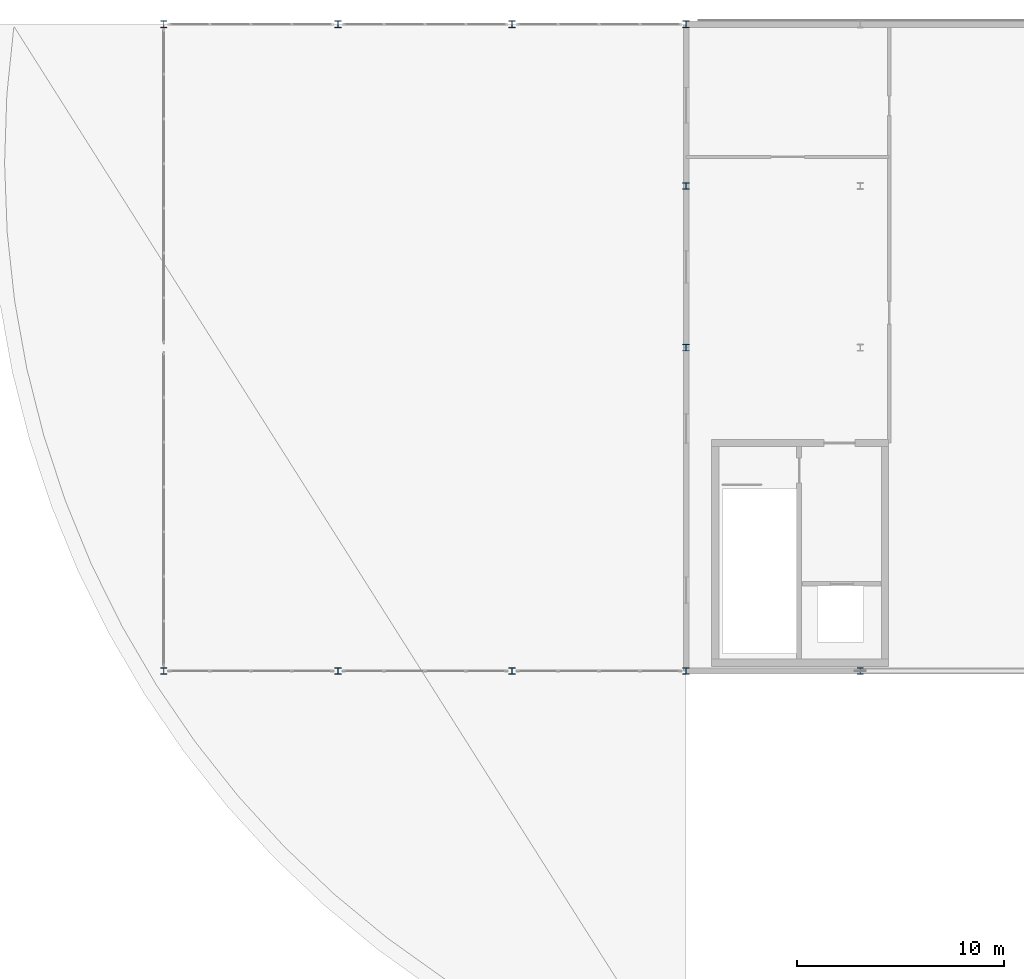
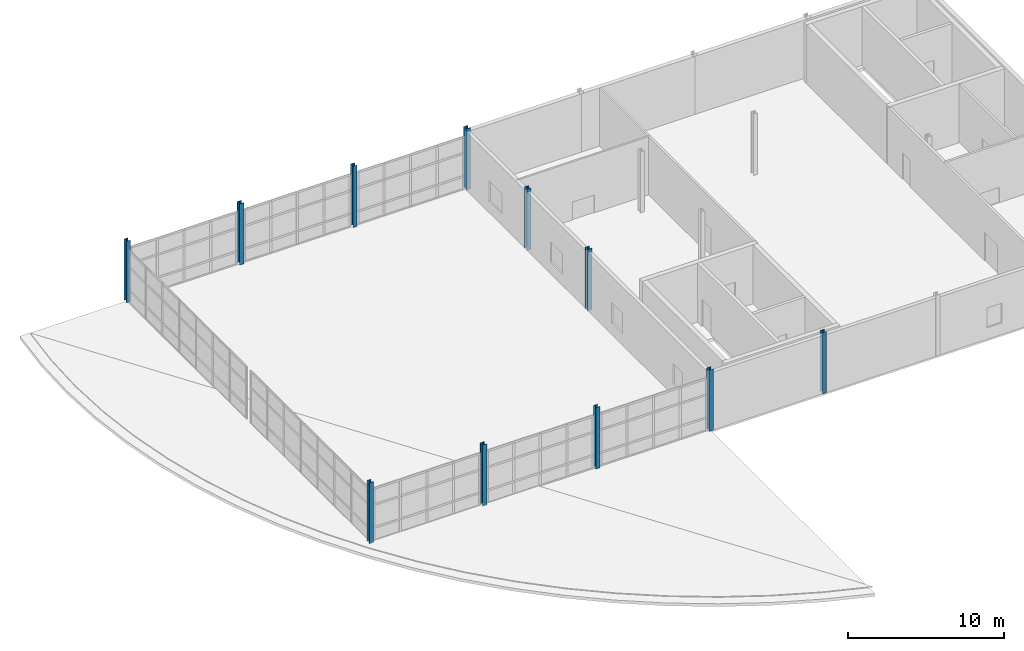
# One storey, part 1 of 14: 11 columns.
"""IFC4 building model written with IfcOpenShell, lengths in metres."""

from ifc_helpers import new_model, si_unit, direction, frame, origin, origin_2d, place, context, subcontext, project, spatial, i_section, extrude, material, material_profile, profile_set, type_object, element, save


model = new_model("IFC4")

# Units and contexts
model_context = context("Model", 3, precision=1e-05, world=origin(), true_north=direction((0.0, 1.0)))
body_context = subcontext(model_context, "Body", "Model", "MODEL_VIEW")
ifc_project = project(units=[si_unit("LENGTHUNIT", "METRE"), si_unit("AREAUNIT", "SQUARE_METRE"), si_unit("VOLUMEUNIT", "CUBIC_METRE"), si_unit("PLANEANGLEUNIT", "RADIAN"), si_unit("MASSUNIT", "GRAM", prefix="KILO")], contexts=[model_context])

# Site, building, storey
site_placement = place(None, origin())
site = spatial("IfcSite", under=ifc_project, at=site_placement, CompositionType="ELEMENT")
building_placement = place(site_placement, origin())
building = spatial("IfcBuilding", under=site, at=building_placement, Name="Selat Folded Stagehouse", CompositionType="ELEMENT")
storey_placement = place(building_placement, frame((0.0, 0.0, 27.60009765625)))
storey = spatial("IfcBuildingStorey", under=building, at=storey_placement, Name="L06", CompositionType="ELEMENT", Elevation=27.60009765625)

# Columns
ifc_material = material(Name="Steel S355", Category="steel")
ifc_material_profile = material_profile(ifc_material, i_section(OverallWidth=0.30908203125, OverallDepth=0.320556640625, WebThickness=0.013916015625, FlangeThickness=0.021728515625, FilletRadius=0.01513671875, at=origin_2d()), Name="UKC 305x305x137")
ifc_profile_set = profile_set([ifc_material_profile], Name="Steel S355")
column_type = type_object("IfcColumnType", Name="COL-UKC-305x305x137", PredefinedType="COLUMN", material=ifc_profile_set)
for number, where, z_axis, x_axis, name in (
    (1, (8.39990234375, 23.39990234375, 0.0), (0.0, 0.0, 1.0), (1.0, 0.0, 0.0), "L06 column STK-V2-00"),
    (2, (16.800048828125, 23.39990234375, 0.0), (0.0, 0.0, 1.0), (1.0, 0.0, 0.0), "L06 column STK-V2-01"),
    (3, (25.199951171875, 23.39990234375, 0.0), (0.0, 0.0, 1.0), (1.0, 0.0, 0.0), "L06 column STK-V2-02"),
    (4, (8.39990234375, 54.60009765625, 0.0), (0.0, 0.0, 1.0), (1.0, 0.0, 0.0), "L06 column STK-V2-03"),
    (5, (16.800048828125, 54.60009765625, 0.0), (0.0, 0.0, 1.0), (1.0, 0.0, 0.0), "L06 column STK-V2-04"),
    (6, (25.199951171875, 54.60009765625, 0.0), (0.0, 0.0, 1.0), (1.0, 0.0, 0.0), "L06 column STK-V2-05"),
    (7, (33.60009765625, 23.39990234375, 0.0), (0.0, 0.0, 1.0), (1.0, 0.0, 0.0), "L06 column STK-V2-07"),
    (8, (33.60009765625, 39.0, 0.0), (0.0, 0.0, 1.0), (1.0, 0.0, 0.0), "L06 column STK-V2-08"),
    (9, (33.60009765625, 46.800048828125, 0.0), (0.0, 0.0, 1.0), (1.0, 0.0, 0.0), "L06 column STK-V2-09"),
    (10, (33.60009765625, 54.60009765625, 0.0), (0.0, 0.0, 1.0), (1.0, 0.0, 0.0), "L06 column STK-V2-10"),
    (11, (42.0, 23.39990234375, 0.0), (0.0, 0.0, 1.0), (1.0, 0.0, 0.0), "L06 column STK-V2-11"),
):
    element("IfcColumn", number, at=place(storey_placement, frame(where, z_axis=z_axis, x_axis=x_axis)), inside=storey, type_object=column_type, Name=name, PredefinedType="COLUMN", context=body_context, shape_type="SweptSolid", body=[
        extrude(i_section(OverallWidth=0.30908203125, OverallDepth=0.320556640625, WebThickness=0.013916015625, FlangeThickness=0.021728515625, FilletRadius=0.01513671875, at=origin_2d()), origin(), (0.0, 0.0, 1.0), 4.7998046875),
    ])

save(model, "model.ifc")
